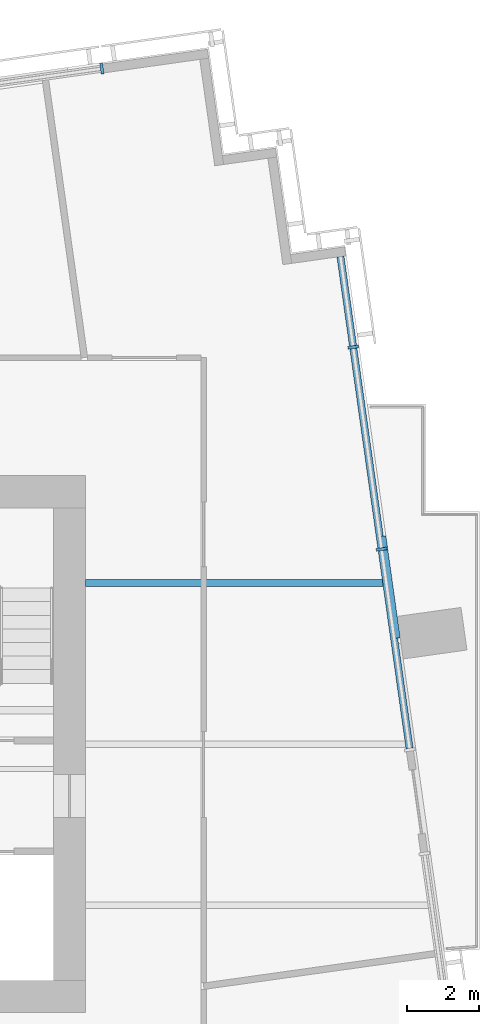
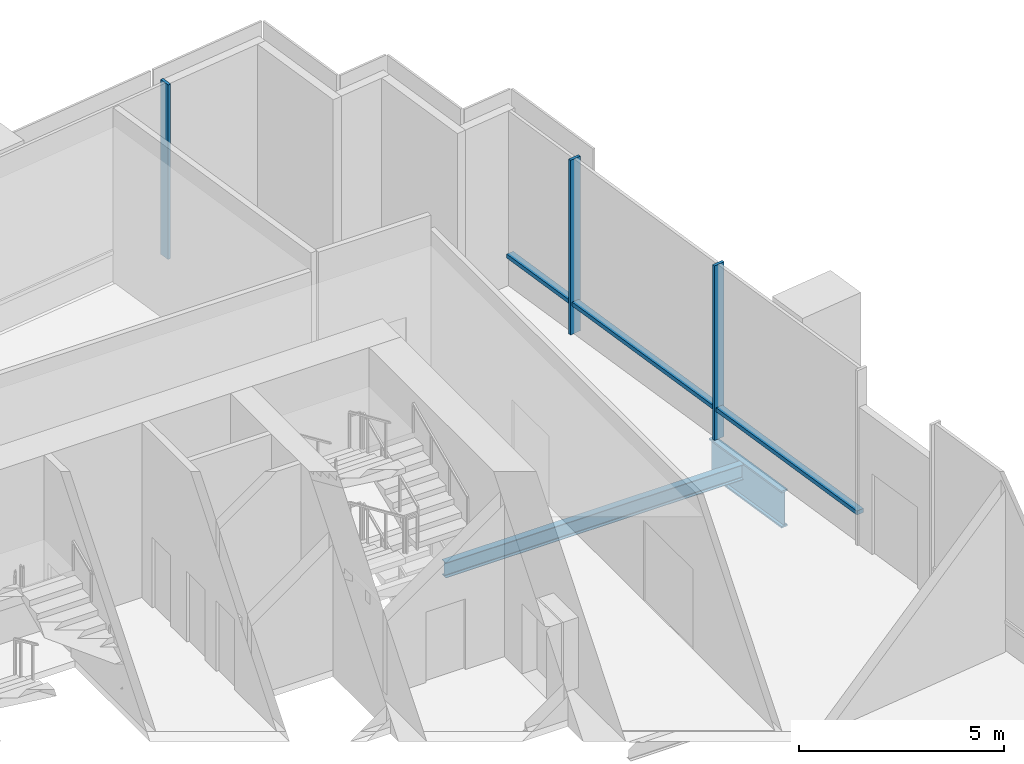
# One storey, part 5 of 17: 6 members, 2 beams, 2 elements without a shape of their own.
"""IFC4 building model written with IfcOpenShell, lengths in metres."""

from ifc_helpers import new_model, si_unit, direction, frame, origin, origin_2d, place, context, subcontext, project, spatial, rectangle, i_section, extrude, material, layer, layer_set, material_profile, profile_set, type_object, element, aggregate, save


model = new_model("IFC4")

# Units and contexts
model_context = context("Model", 3, precision=1e-05, world=origin(), true_north=direction((0.0, 1.0)))
body_context = subcontext(model_context, "Body", "Model", "MODEL_VIEW")
ifc_project = project(units=[si_unit("LENGTHUNIT", "METRE"), si_unit("AREAUNIT", "SQUARE_METRE"), si_unit("VOLUMEUNIT", "CUBIC_METRE"), si_unit("PLANEANGLEUNIT", "RADIAN"), si_unit("MASSUNIT", "GRAM", prefix="KILO")], contexts=[model_context])

# Site, building, storey
site_placement = place(None, origin())
site = spatial("IfcSite", under=ifc_project, at=site_placement, CompositionType="ELEMENT")
building_placement = place(site_placement, origin())
building = spatial("IfcBuilding", under=site, at=building_placement, Name="Rattan Terrace Tower", CompositionType="ELEMENT")
storey_placement = place(building_placement, frame((0.0, 0.0, 163.10009765625)))
storey = spatial("IfcBuildingStorey", under=building, at=storey_placement, Name="L37", CompositionType="ELEMENT", Elevation=163.10009765625)

# Beams
ifc_material_1 = material(Name="Steel S460", Category="steel")
ifc_material_profile_1 = material_profile(ifc_material_1, i_section(OverallWidth=0.179931640625, OverallDepth=1.10009765625, WebThickness=0.01611328125, FlangeThickness=0.050048828125, at=origin_2d()), Name="PG 1100x180-16-50")
ifc_profile_set_1 = profile_set([ifc_material_profile_1], Name="Steel S460")
beam_type_1 = type_object("IfcBeamType", Name="Frame edge girder PG 1100x180-16-50", PredefinedType="SPANDREL", material=ifc_profile_set_1)
beam_1_placement = place(storey_placement, frame((26.700927734375, 2.9619140625, -0.75), z_axis=(-0.138997388232, 0.990292747658, 0.0), x_axis=(-0.990292747658, -0.138997388232, 0.0)))
element("IfcBeam", 1, at=beam_1_placement, inside=storey, type_object=beam_type_1, Name="gdr-L37-008", PredefinedType="SPANDREL", context=body_context, shape_type="SweptSolid", body=[
    extrude(i_section(OverallWidth=0.179931640625, OverallDepth=1.10009765625, WebThickness=0.01611328125, FlangeThickness=0.050048828125, at=origin_2d()), origin(), (0.0, 0.0, 1.0), 2.876953125),
])
ifc_material_2 = material(Name="Steel S355", Category="steel")
ifc_material_profile_2 = material_profile(ifc_material_2, i_section(OverallWidth=0.18994140625, OverallDepth=0.449951171875, WebThickness=0.009521484375, FlangeThickness=0.0146484375, FilletRadius=0.02099609375, at=origin_2d()), Name="IPE 450")
ifc_profile_set_2 = profile_set([ifc_material_profile_2], Name="Steel S355")
beam_type_2 = type_object("IfcBeamType", Name="Frame floor beam IPE 450", PredefinedType="JOIST", material=ifc_profile_set_2)
beam_2_placement = place(storey_placement, frame((18.0, 4.5, -0.425048828125), z_axis=(1.0, 0.0, 0.0), x_axis=(0.0, 1.0, 0.0)))
element("IfcBeam", 2, at=beam_2_placement, inside=storey, type_object=beam_type_2, Name="bm-L37-013", PredefinedType="JOIST", context=body_context, shape_type="SweptSolid", body=[
    extrude(i_section(OverallWidth=0.18994140625, OverallDepth=0.449951171875, WebThickness=0.009521484375, FlangeThickness=0.0146484375, FilletRadius=0.02099609375, at=origin_2d()), origin(), (0.0, 0.0, 1.0), 8.381103515625),
])

# Curtain wall, members
ifc_material_3 = material(Name="Steel fins, aluminium and glass", Category="steel")
ifc_layer = layer(ifc_material_3, 0.300048828125)
ifc_layer_set = layer_set([ifc_layer], Name="Sky Lobby Stick Curtain Wall")
curtain_wall_type = type_object("IfcCurtainWallType", Name="Sky Lobby Stick Curtain Wall", PredefinedType="NOTDEFINED", material=ifc_layer_set)
curtain_wall_1_placement = place(storey_placement, origin())
curtain_wall_1 = element("IfcCurtainWall", 3, at=curtain_wall_1_placement, inside=storey, type_object=curtain_wall_type, Name="Sky lobby curtain wall L37-2", PredefinedType="NOTDEFINED")
ifc_material_4 = material(Name="Steel S355", Category="steel")
ifc_material_profile_3 = material_profile(ifc_material_4, rectangle(XDim=0.080078125, YDim=0.300048828125, at=origin_2d()), Name="Steel S355 80x300")
ifc_profile_set_3 = profile_set([ifc_material_profile_3], Name="Steel S355")
member_type_1 = type_object("IfcMemberType", Name="Sky Lobby CW Fin 80x300", PredefinedType="MULLION", material=ifc_profile_set_3)
member_1_placement = place(storey_placement, frame((26.270751953125, 5.4482421875, 0.0), z_axis=(0.0, 0.0, 1.0), x_axis=(-0.139190856006, 0.99026557327, 0.0)))
member_1 = element("IfcMember", 4, at=member_1_placement, type_object=member_type_1, Name="Mullion cwl-L37-002.2", PredefinedType="MULLION", context=body_context, shape_type="SweptSolid", body=[
    extrude(rectangle(XDim=0.080078125, YDim=0.300048828125, at=origin_2d()), origin(), (0.0, 0.0, 1.0), 5.199951171875),
])
member_2_placement = place(storey_placement, frame((25.477294921875, 11.092529296875, 0.0), z_axis=(0.0, 0.0, 1.0), x_axis=(-0.139190856006, 0.99026557327, 0.0)))
member_2 = element("IfcMember", 5, at=member_2_placement, type_object=member_type_1, Name="Mullion cwl-L37-002.3", PredefinedType="MULLION", context=body_context, shape_type="SweptSolid", body=[
    extrude(rectangle(XDim=0.080078125, YDim=0.300048828125, at=origin_2d()), origin(), (0.0, 0.0, 1.0), 5.199951171875),
])

# Curtain wall, member
curtain_wall_2_placement = place(storey_placement, origin())
curtain_wall_2 = element("IfcCurtainWall", 6, at=curtain_wall_2_placement, inside=storey, type_object=curtain_wall_type, Name="Sky lobby curtain wall L37-3", PredefinedType="NOTDEFINED")
member_3_placement = place(storey_placement, frame((18.45703125, 18.87109375, 0.0), z_axis=(0.0, 0.0, 1.0), x_axis=(-0.990269702686, -0.139161474347, 0.0)))
member_3 = element("IfcMember", 7, at=member_3_placement, type_object=member_type_1, Name="Mullion cwl-L37-003.1", PredefinedType="MULLION", context=body_context, shape_type="SweptSolid", body=[
    extrude(rectangle(XDim=0.080078125, YDim=0.300048828125, at=origin_2d()), origin(), (0.0, 0.0, 1.0), 5.199951171875),
])
aggregate(curtain_wall_2, [member_3])

# Member
ifc_material_5 = material(Name="Aluminium", Category="aluminium")
ifc_material_profile_4 = material_profile(ifc_material_5, rectangle(XDim=0.199951171875, YDim=0.1201171875, at=origin_2d()), Name="Aluminium 200x120")
ifc_profile_set_4 = profile_set([ifc_material_profile_4], Name="Aluminium")
member_type_2 = type_object("IfcMemberType", Name="Sky Lobby CW Transom 200x120", PredefinedType="USERDEFINED", material=ifc_profile_set_4)
member_4_placement = place(storey_placement, frame((27.052978515625, -0.1171875, 0.89990234375), z_axis=(-0.139179077226, 0.990267228814, 0.0), x_axis=(-0.990267228814, -0.139179077226, 0.0)))
member_4 = element("IfcMember", 8, at=member_4_placement, type_object=member_type_2, Name="Transom cwl-L37-002.1", ObjectType="TRANSOM", PredefinedType="USERDEFINED", context=body_context, shape_type="SweptSolid", body=[
    extrude(rectangle(XDim=0.199951171875, YDim=0.1201171875, at=origin_2d()), origin(), (0.0, 0.0, 1.0), 5.579833984375),
])

member_5_placement = place(storey_placement, frame((26.26513671875, 5.48779296875, 0.89990234375), z_axis=(-0.139188934508, 0.990265843352, 0.0), x_axis=(-0.990265843352, -0.139188934508, 0.0)))
member_5 = element("IfcMember", 9, at=member_5_placement, type_object=member_type_2, Name="Transom cwl-L37-002.2", ObjectType="TRANSOM", PredefinedType="USERDEFINED", context=body_context, shape_type="SweptSolid", body=[
    extrude(rectangle(XDim=0.199951171875, YDim=0.1201171875, at=origin_2d()), origin(), (0.0, 0.0, 1.0), 5.619873046875),
])

member_6_placement = place(storey_placement, frame((25.471923828125, 11.13232421875, 0.89990234375), z_axis=(-0.139178988917, 0.990267241225, 0.0), x_axis=(-0.990267241225, -0.139178988917, 0.0)))
member_6 = element("IfcMember", 10, at=member_6_placement, type_object=member_type_2, Name="Transom cwl-L37-002.3", ObjectType="TRANSOM", PredefinedType="USERDEFINED", context=body_context, shape_type="SweptSolid", body=[
    extrude(rectangle(XDim=0.199951171875, YDim=0.1201171875, at=origin_2d()), origin(), (0.0, 0.0, 1.0), 2.515380859375),
])

aggregate(curtain_wall_1, [member_1, member_2, member_4, member_5, member_6])

save(model, "model.ifc")
